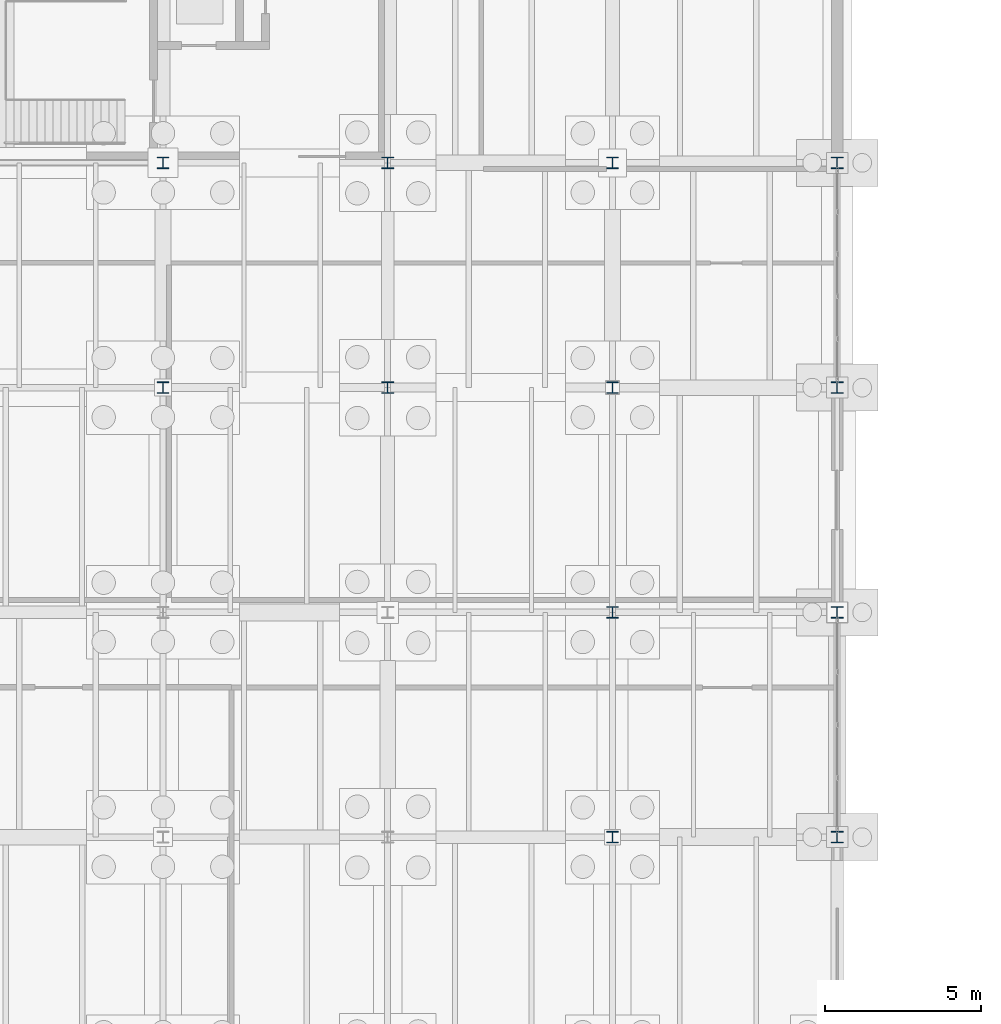
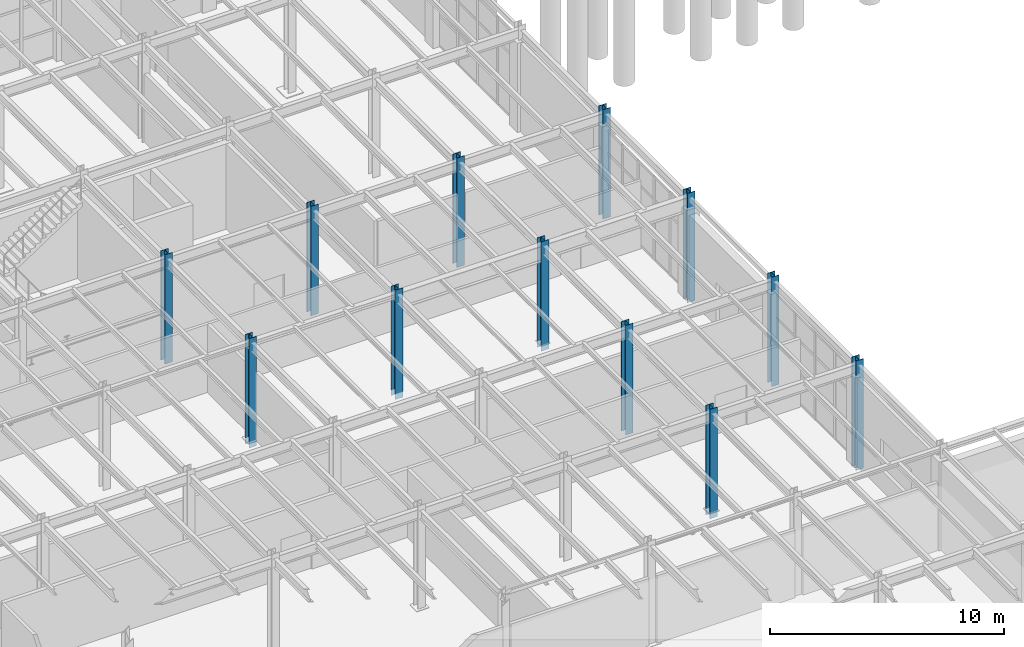
# One storey, part 18 of 293: 12 columns.
"""IFC4 building model written with IfcOpenShell, lengths in metres."""

from ifc_helpers import new_model, si_unit, direction, frame, origin, origin_2d, place, context, subcontext, project, spatial, i_section, extrude, material, material_profile, profile_set, type_object, element, save


model = new_model("IFC4")

# Units and contexts
model_context = context("Model", 3, precision=1e-05, world=origin(), true_north=direction((0.0, 1.0)))
body_context = subcontext(model_context, "Body", "Model", "MODEL_VIEW")
ifc_project = project(units=[si_unit("LENGTHUNIT", "METRE"), si_unit("AREAUNIT", "SQUARE_METRE"), si_unit("VOLUMEUNIT", "CUBIC_METRE"), si_unit("PLANEANGLEUNIT", "RADIAN"), si_unit("MASSUNIT", "GRAM", prefix="KILO")], contexts=[model_context])

# Site, building, storey
site_placement = place(None, origin())
site = spatial("IfcSite", under=ifc_project, at=site_placement, CompositionType="ELEMENT")
building_placement = place(site_placement, origin())
building = spatial("IfcBuilding", under=site, at=building_placement, Name="Kemerveld Promenade Tramway Depot", CompositionType="ELEMENT")
storey_placement = place(building_placement, origin())
storey = spatial("IfcBuildingStorey", under=building, at=storey_placement, Name="L00", CompositionType="ELEMENT", Elevation=0.0)

# Columns
ifc_material = material(Name="Steel S355", Category="steel")
ifc_material_profile = material_profile(ifc_material, i_section(OverallWidth=0.37255859375, OverallDepth=0.3681640625, WebThickness=0.014404296875, FlangeThickness=0.023681640625, FilletRadius=0.01513671875, at=origin_2d()), Name="356x368x177 UC")
ifc_profile_set = profile_set([ifc_material_profile], Name="Steel S355")
column_type = type_object("IfcColumnType", Name="COL-S03", PredefinedType="COLUMN", material=ifc_profile_set)
for number, where, z_axis, x_axis, name in (
    (1, (36.0, 50.39990234375, -0.300048828125), (0.0, 0.0, 1.0), (1.0, 0.0, 0.0), "COL-L00-06-H"),
    (2, (36.0, 57.60009765625, -0.300048828125), (0.0, 0.0, 1.0), (1.0, 0.0, 0.0), "COL-L00-06-J"),
    (3, (43.199951171875, 50.39990234375, -0.300048828125), (0.0, 0.0, 1.0), (1.0, 0.0, 0.0), "COL-L00-07-H"),
    (4, (43.199951171875, 57.60009765625, -0.300048828125), (0.0, 0.0, 1.0), (1.0, 0.0, 0.0), "COL-L00-07-J"),
    (5, (50.39990234375, 36.0, -0.300048828125), (0.0, 0.0, 1.0), (1.0, 0.0, 0.0), "COL-L00-08-F"),
    (6, (50.39990234375, 43.199951171875, -0.300048828125), (0.0, 0.0, 1.0), (1.0, 0.0, 0.0), "COL-L00-08-G"),
    (7, (50.39990234375, 50.39990234375, -0.300048828125), (0.0, 0.0, 1.0), (1.0, 0.0, 0.0), "COL-L00-08-H"),
    (8, (50.39990234375, 57.60009765625, -0.300048828125), (0.0, 0.0, 1.0), (1.0, 0.0, 0.0), "COL-L00-08-J"),
    (9, (57.60009765625, 36.0, -0.300048828125), (0.0, 0.0, 1.0), (1.0, 0.0, 0.0), "COL-L00-09-F"),
    (10, (57.60009765625, 43.199951171875, -0.300048828125), (0.0, 0.0, 1.0), (1.0, 0.0, 0.0), "COL-L00-09-G"),
    (11, (57.60009765625, 50.39990234375, -0.300048828125), (0.0, 0.0, 1.0), (1.0, 0.0, 0.0), "COL-L00-09-H"),
    (12, (57.60009765625, 57.60009765625, -0.300048828125), (0.0, 0.0, 1.0), (1.0, 0.0, 0.0), "COL-L00-09-J"),
):
    element("IfcColumn", number, at=place(storey_placement, frame(where, z_axis=z_axis, x_axis=x_axis)), inside=storey, type_object=column_type, Name=name, PredefinedType="COLUMN", context=body_context, shape_type="SweptSolid", body=[
        extrude(i_section(OverallWidth=0.37255859375, OverallDepth=0.3681640625, WebThickness=0.014404296875, FlangeThickness=0.023681640625, FilletRadius=0.01513671875, at=origin_2d()), origin(), (0.0, 0.0, 1.0), 5.699951171875),
    ])

save(model, "model.ifc")
